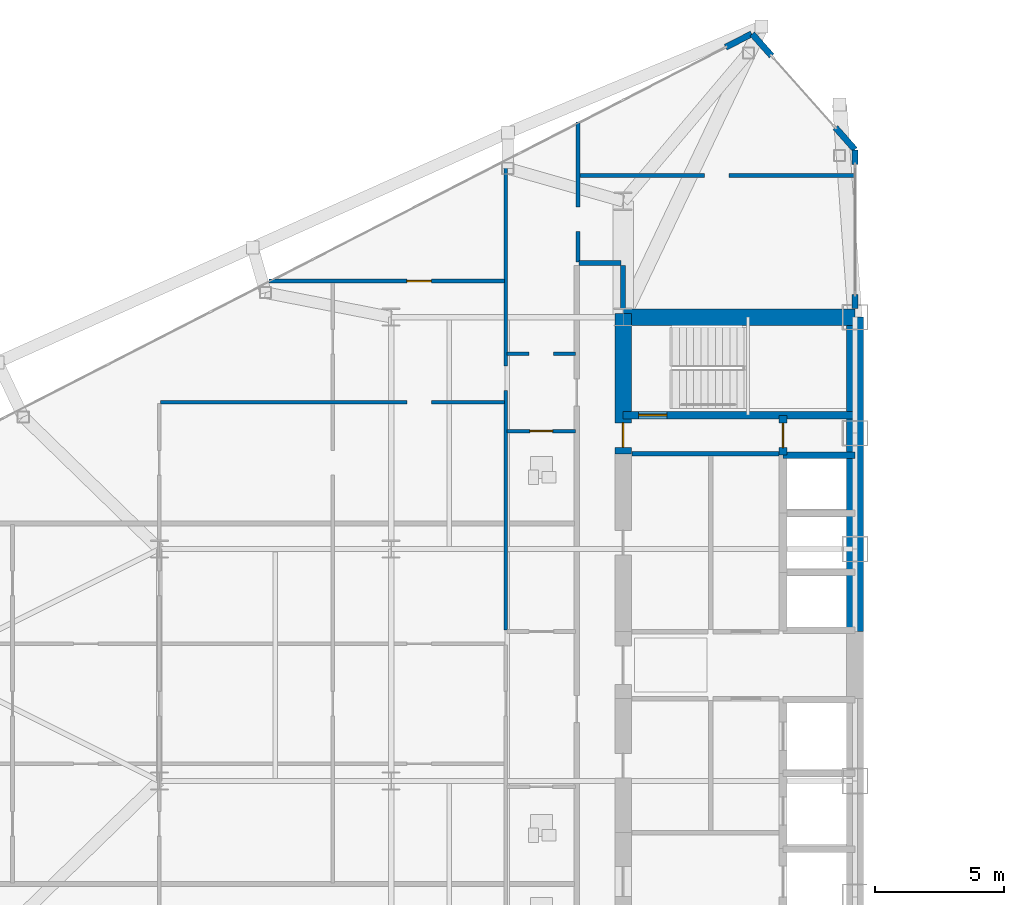
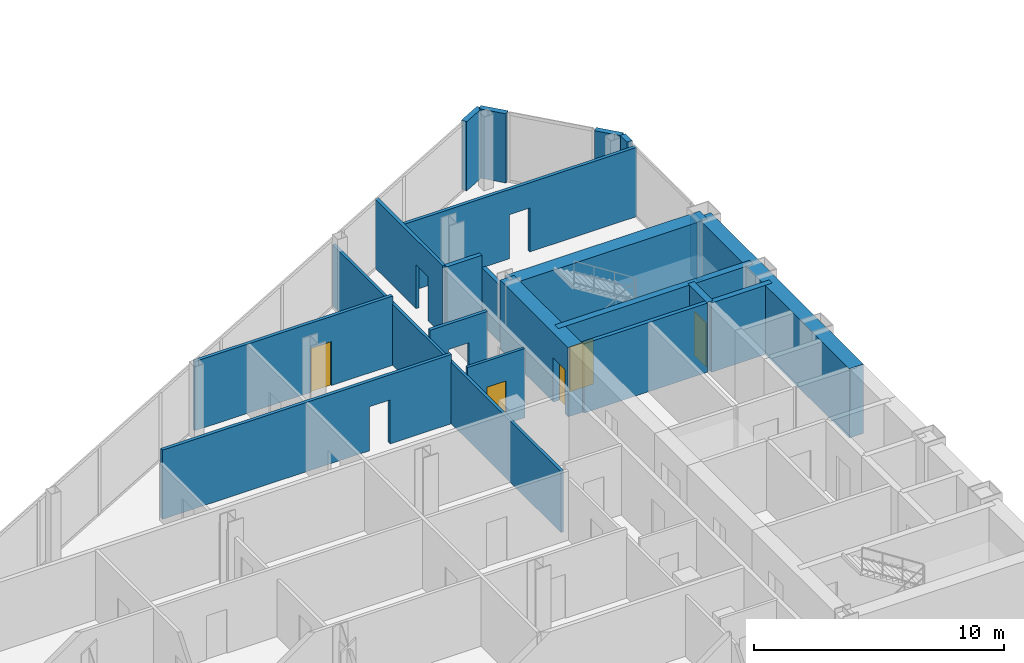
# One storey, part 21 of 28: 21 walls, 5 doors, 10 openings.
"""IFC4 building model written with IfcOpenShell, lengths in metres."""

import ifcopenshell
import ifcopenshell.guid

model = None  # the IFC model being written
_history = None  # IfcOwnerHistory: only IFC2X3 demands one
_inside = {}  # id of a spatial element -> (the spatial element, [elements in it])
_under = {}  # id of a project, library or spatial element -> (it, [spatial elements below it])
_declared = {}  # id of a project -> (the project, [libraries it declares])
_typed = {}  # id of a type object -> (the type object, [elements of that type])
_made_of = {}  # id of a material, layer set ... -> (it, [elements and type objects made of it])


def new_model(schema):
    """Start an empty IFC model of exactly this schema.

    Asked for "IFC4X3", IfcOpenShell would pick the latest addendum, in which some entities
    have other attributes; the version numbers below select the first issue.
    IFC2X3 requires an IfcOwnerHistory on every rooted entity: one is made here for all.
    """
    global model, _history
    if schema == "IFC4X3":
        model = ifcopenshell.file(schema_version=(4, 3, 0, 0))
    else:
        model = ifcopenshell.file(schema=schema)
    _inside.clear()
    _under.clear()
    _declared.clear()
    _typed.clear()
    _made_of.clear()
    _history = None
    if model.schema == "IFC2X3":
        org = make("IfcOrganization", Name="unknown")
        user = make(
            "IfcPersonAndOrganization",
            ThePerson=make("IfcPerson", FamilyName="unknown"),
            TheOrganization=org,
        )
        app = make(
            "IfcApplication",
            ApplicationDeveloper=org,
            Version="unknown",
            ApplicationFullName="unknown",
            ApplicationIdentifier="unknown",
        )
        _history = make(
            "IfcOwnerHistory",
            OwningUser=user,
            OwningApplication=app,
            ChangeAction="ADDED",
            CreationDate=0,
        )
    return model


def make(cls, **values):
    """One entity of the class cls with the attributes given. An attribute that is None is left unset."""
    return model.create_entity(
        cls, **{name: value for name, value in values.items() if value is not None}
    )


def rooted(cls, **values):
    """An entity with a GlobalId (a new one), such as an element, a storey or a relation."""
    return make(cls, GlobalId=ifcopenshell.guid.new(), OwnerHistory=_history, **values)


def si_unit(unit_type, name, prefix=None):
    """IfcSIUnit, for example si_unit("LENGTHUNIT", "METRE", prefix="MILLI")."""
    return make("IfcSIUnit", UnitType=unit_type, Prefix=prefix, Name=name)


def assignment(units):
    """IfcUnitAssignment: the units of a project."""
    return None if units is None else make("IfcUnitAssignment", Units=units)


def point(xyz):
    """IfcCartesianPoint."""
    return None if xyz is None else make("IfcCartesianPoint", Coordinates=xyz)


def direction(xyz):
    """IfcDirection."""
    return None if xyz is None else make("IfcDirection", DirectionRatios=xyz)


def frame(location, z_axis=None, x_axis=None):
    """IfcAxis2Placement3D, a coordinate frame: its origin and axes. An axis left out is left unset."""
    return make(
        "IfcAxis2Placement3D",
        Location=point(location),
        Axis=direction(z_axis),
        RefDirection=direction(x_axis),
    )


def frame_2d(location, x_axis=None):
    """IfcAxis2Placement2D, a coordinate frame in the plane: its origin and x axis."""
    return make(
        "IfcAxis2Placement2D", Location=point(location), RefDirection=direction(x_axis)
    )


def origin():
    """The frame at (0, 0, 0) with its axes left unset."""
    return frame((0.0, 0.0, 0.0))


def place(relative_to, where):
    """IfcLocalPlacement: puts the frame where relative to a parent placement (None: the world)."""
    return make(
        "IfcLocalPlacement", PlacementRelTo=relative_to, RelativePlacement=where
    )


def context(
    kind, dimensions, precision=None, world=None, true_north=None, identifier=None
):
    """IfcGeometricRepresentationContext, for example the 3D "Model" context."""
    return make(
        "IfcGeometricRepresentationContext",
        ContextIdentifier=identifier,
        ContextType=kind,
        CoordinateSpaceDimension=dimensions,
        Precision=precision,
        WorldCoordinateSystem=world,
        TrueNorth=true_north,
    )


def subcontext(parent, identifier, kind, view, scale=None):
    """IfcGeometricRepresentationSubContext, for example "Body" below "Model"."""
    return make(
        "IfcGeometricRepresentationSubContext",
        ContextIdentifier=identifier,
        ContextType=kind,
        ParentContext=parent,
        TargetScale=scale,
        TargetView=view,
    )


def project(units=None, contexts=None):
    """IfcProject with its units and contexts."""
    return rooted(
        "IfcProject",
        Name="project",
        RepresentationContexts=contexts,
        UnitsInContext=assignment(units),
    )


def spatial(cls, under=None, at=None, **own):
    """A site, building, storey or space (cls), placed at a placement, below another one or the project."""
    s = rooted(cls, ObjectPlacement=at, **own)
    if under is not None:
        _under.setdefault(under.id(), (under, []))[1].append(s)
    return s


def profile(cls, at=None, kind="AREA", **sizes):
    """A parametric profile (cls). Its sizes go by their IFC names, for example OverallWidth=200.0."""
    return make(cls, ProfileType=kind, Position=at, **sizes)


def rectangle(**sizes):
    """IfcRectangleProfileDef."""
    return profile("IfcRectangleProfileDef", **sizes)


def extrude(swept, where, along, depth):
    """IfcExtrudedAreaSolid: the profile swept, set in the frame where, extruded along a direction by depth."""
    return make(
        "IfcExtrudedAreaSolid",
        SweptArea=swept,
        Position=where,
        ExtrudedDirection=direction(along),
        Depth=depth,
    )


def shape(context_of_items, identifier, shape_type, items):
    """IfcShapeRepresentation: the items that make up one representation, for example the "Body"."""
    return make(
        "IfcShapeRepresentation",
        ContextOfItems=context_of_items,
        RepresentationIdentifier=identifier,
        RepresentationType=shape_type,
        Items=items,
    )


def source(mapping_origin, context_of_items, identifier, shape_type, items):
    """IfcRepresentationMap: a shape defined once, which mapped items show again and again."""
    return make(
        "IfcRepresentationMap",
        MappingOrigin=mapping_origin,
        MappedRepresentation=shape(context_of_items, identifier, shape_type, items),
    )


def transform(
    local_origin,
    x_axis=None,
    y_axis=None,
    z_axis=None,
    scale=None,
    scale2=None,
    scale3=None,
    uniform=True,
):
    """IfcCartesianTransformationOperator3D, or its non-uniform kind. x_axis, y_axis, z_axis: its Axis1, 2, 3."""
    if uniform:
        return make(
            "IfcCartesianTransformationOperator3D",
            Axis1=direction(x_axis),
            Axis2=direction(y_axis),
            LocalOrigin=point(local_origin),
            Scale=scale,
            Axis3=direction(z_axis),
        )
    return make(
        "IfcCartesianTransformationOperator3DnonUniform",
        Axis1=direction(x_axis),
        Axis2=direction(y_axis),
        LocalOrigin=point(local_origin),
        Scale=scale,
        Axis3=direction(z_axis),
        Scale2=scale2,
        Scale3=scale3,
    )


def mapped(mapping_source, mapping_target):
    """IfcMappedItem: shows the shape of a source again, moved by a transform."""
    return make(
        "IfcMappedItem", MappingSource=mapping_source, MappingTarget=mapping_target
    )


def material(Name=None, Category=None):
    """IfcMaterial."""
    return make("IfcMaterial", Name=Name, Category=Category)


def layer(
    of_material, thickness, ventilated=None, Name=None, Category=None, Priority=None
):
    """IfcMaterialLayer: one layer of a wall or slab, of a material (None: an air gap)."""
    return make(
        "IfcMaterialLayer",
        Material=of_material,
        LayerThickness=thickness,
        IsVentilated=ventilated,
        Name=Name,
        Category=Category,
        Priority=Priority,
    )


def layer_set(layers, Name=None):
    """IfcMaterialLayerSet."""
    return make("IfcMaterialLayerSet", MaterialLayers=layers, LayerSetName=Name)


def made_of(thing, what):
    """Note that an element or type object is made of a material, layer set ...; save() writes the relation."""
    if what is not None:
        _made_of.setdefault(what.id(), (what, []))[1].append(thing)
    return thing


def type_object(cls, material=None, **own):
    """A type object (cls), such as IfcWallType, which elements share."""
    return made_of(rooted(cls, **own), material)


def type_shapes(of_type, sources):
    """Give a type object the sources (RepresentationMaps) that its elements show as mapped items."""
    of_type.RepresentationMaps = sources


def element(
    cls,
    number,
    at=None,
    inside=None,
    cuts=None,
    type_object=None,
    material=None,
    context=None,
    identifier="Body",
    shape_type=None,
    held_by="IfcProductDefinitionShape",
    body=None,
    shapes=None,
    **own,
):
    """One element of the class cls, such as IfcWall. Its Tag is "e" and its number.

    at: its placement. inside: the storey or other place that contains it. cuts: it is an
    opening in that element (IfcRelVoidsElement). A single representation is given by context,
    identifier, shape_type and body (its items); several are given by shapes. held_by: the class
    of the entity that holds the representations. save() writes the other relations.
    """
    e = rooted(cls, Tag="e%d" % number, ObjectPlacement=at, **own)
    if body is not None:
        shapes = [shape(context, identifier, shape_type, body)]
    if shapes is not None:
        e.Representation = make(held_by, Representations=shapes)
    if inside is not None:
        _inside.setdefault(inside.id(), (inside, []))[1].append(e)
    if cuts is not None:
        rooted(
            "IfcRelVoidsElement", RelatingBuildingElement=cuts, RelatedOpeningElement=e
        )
    if type_object is not None:
        _typed.setdefault(type_object.id(), (type_object, []))[1].append(e)
    return made_of(e, material)


def fill(opening, filler):
    """IfcRelFillsElement: the door or window that sits in an opening."""
    return rooted(
        "IfcRelFillsElement",
        RelatingOpeningElement=opening,
        RelatedBuildingElement=filler,
    )


def aggregate(whole, parts):
    """IfcRelAggregates: a whole, such as a stair, and the parts it consists of."""
    return rooted("IfcRelAggregates", RelatingObject=whole, RelatedObjects=parts)


def save(model, path):
    """Write the relations noted so far, then the file.

    IfcRelAggregates (storeys below a building ...), IfcRelContainedInSpatialStructure (elements
    in a storey), IfcRelDefinesByType, IfcRelAssociatesMaterial and IfcRelDeclares: one each for
    every whole, place, type object, material and project.
    """
    for whole, parts in _under.values():
        aggregate(whole, parts)
    for where, things in _inside.values():
        rooted(
            "IfcRelContainedInSpatialStructure",
            RelatedElements=things,
            RelatingStructure=where,
        )
    for kind, things in _typed.values():
        rooted("IfcRelDefinesByType", RelatedObjects=things, RelatingType=kind)
    for what, things in _made_of.values():
        rooted("IfcRelAssociatesMaterial", RelatedObjects=things, RelatingMaterial=what)
    for by, libraries in _declared.values():
        rooted("IfcRelDeclares", RelatingContext=by, RelatedDefinitions=libraries)
    model.write(path)


model = new_model("IFC4")

# Units and contexts
model_context = context("Model", 3, precision=1e-05, world=origin(), true_north=direction((0.0, 1.0)))
body_context = subcontext(model_context, "Body", "Model", "MODEL_VIEW")
ifc_project = project(units=[si_unit("LENGTHUNIT", "METRE"), si_unit("AREAUNIT", "SQUARE_METRE"), si_unit("VOLUMEUNIT", "CUBIC_METRE"), si_unit("PLANEANGLEUNIT", "RADIAN"), si_unit("MASSUNIT", "GRAM", prefix="KILO")], contexts=[model_context])

# Site, building, storey
site_placement = place(None, origin())
site = spatial("IfcSite", under=ifc_project, at=site_placement, CompositionType="ELEMENT")
building_placement = place(site_placement, origin())
building = spatial("IfcBuilding", under=site, at=building_placement, Name="Seokmaru Belvedere", CompositionType="ELEMENT")
storey_placement = place(building_placement, frame((0.0, 0.0, 110.39990234375)))
storey = spatial("IfcBuildingStorey", under=building, at=storey_placement, Name="L29", CompositionType="ELEMENT", Elevation=110.39990234375)

# Wall, opening
ifc_material_1 = material(Name="Fire-Rated Gypsum Shaftwall")
ifc_layer_1 = layer(ifc_material_1, 0.14990234375)
ifc_layer_set_1 = layer_set([ifc_layer_1], Name="Fire-Rated Gypsum Shaftwall")
wall_type_1 = type_object("IfcWallType", Name="Apartment Fire-Acoustic Room Partition 150", PredefinedType="PARTITIONING", material=ifc_layer_set_1)
wall_1_placement = place(storey_placement, frame((-54.449951171875, 10.199951171875, 0.0), z_axis=(0.0, 0.0, 1.0), x_axis=(1.0, 0.0, 0.0)))
wall_1 = element("IfcWall", 1, at=wall_1_placement, inside=storey, type_object=wall_type_1, Name="L29 Interior Partition 027", PredefinedType="PARTITIONING", context=body_context, shape_type="SweptSolid", body=[
    extrude(rectangle(XDim=13.349853515625, YDim=0.14990234375, at=frame_2d((6.6748046875, 0.0))), origin(), (0.0, 0.0, 1.0), 3.380126953125),
])
opening_1_placement = place(wall_1_placement, frame((9.5625, 0.0, 0.0)))
element("IfcOpeningElement", 2, at=opening_1_placement, cuts=wall_1, Name="L29 Cased Opening 029", PredefinedType="OPENING", context=body_context, shape_type="SweptSolid", body=[
    extrude(rectangle(XDim=0.949951171875, YDim=2.14990234375, at=frame_2d((0.47509765625, 1.074951171875))), frame((0.0, 0.0849609375, 0.0), z_axis=(0.0, -1.0, 0.0), x_axis=(1.0, 0.0, 0.0)), (0.0, 0.0, 1.0), 0.169921875),
])

wall_2_placement = place(storey_placement, frame((-41.0, 12.080078125, 0.0), z_axis=(0.0, 0.0, 1.0), x_axis=(1.0, 0.0, 0.0)))
wall_2 = element("IfcWall", 3, at=wall_2_placement, inside=storey, type_object=wall_type_1, Name="L29 Interior Partition 029", PredefinedType="PARTITIONING", context=body_context, shape_type="SweptSolid", body=[
    extrude(rectangle(XDim=2.64990234375, YDim=0.14990234375, at=frame_2d((1.324951171875, 0.0))), origin(), (0.0, 0.0, 1.0), 3.380126953125),
])
opening_2_placement = place(wall_2_placement, frame((0.85009765625, 0.0, 0.0)))
element("IfcOpeningElement", 4, at=opening_2_placement, cuts=wall_2, Name="L29 Cased Opening 027", PredefinedType="OPENING", context=body_context, shape_type="SweptSolid", body=[
    extrude(rectangle(XDim=0.949951171875, YDim=2.14990234375, at=frame_2d((0.47509765625, 1.074951171875))), frame((0.0, 0.0849609375, 0.0), z_axis=(0.0, -1.0, 0.0), x_axis=(1.0, 0.0, 0.0)), (0.0, 0.0, 1.0), 0.169921875),
])

# Wall, opening, door
wall_3_placement = place(storey_placement, frame((-50.242919921875, 14.89990234375, 0.0), z_axis=(0.0, 0.0, 1.0), x_axis=(1.0, 0.0, 0.0)))
wall_3 = element("IfcWall", 5, at=wall_3_placement, inside=storey, type_object=wall_type_1, Name="L29 Interior Partition 032", PredefinedType="PARTITIONING", context=body_context, shape_type="SweptSolid", body=[
    extrude(rectangle(XDim=9.142822265625, YDim=0.14990234375, at=frame_2d((4.5712890625, 0.0))), origin(), (0.0, 0.0, 1.0), 3.380126953125),
])
opening_3_placement = place(wall_3_placement, frame((5.35546875, 0.0, 0.0)))
opening_3 = element("IfcOpeningElement", 6, at=opening_3_placement, cuts=wall_3, Name="Opening D05", PredefinedType="OPENING", context=body_context, shape_type="SweptSolid", body=[
    extrude(rectangle(XDim=0.949951171875, YDim=2.14990234375, at=frame_2d((0.47509765625, 1.074951171875))), frame((0.0, 0.0849609375, 0.0), z_axis=(0.0, -1.0, 0.0), x_axis=(1.0, 0.0, 0.0)), (0.0, 0.0, 1.0), 0.169921875),
])
ifc_material_2 = material(Name="Engineered White Oak Timber", Category="wood")
door_type_1 = type_object("IfcDoorType", Name="Apartment Interior Fire-Rated Oak Door 950x2150", OperationType="NOTDEFINED", PredefinedType="DOOR", material=ifc_material_2)
shared_shape_1 = source(origin(), body_context, "Body", "SweptSolid", [
    extrude(rectangle(XDim=0.949951171875, YDim=2.14990234375, at=frame_2d((0.47509765625, 1.074951171875))), frame((0.0, 0.02490234375, 0.0), z_axis=(0.0, -1.0, 0.0), x_axis=(1.0, 0.0, 0.0)), (0.0, 0.0, 1.0), 0.050048828125),
])
type_shapes(door_type_1, [shared_shape_1])
door_1_placement = place(opening_3_placement, origin())
door_1 = element("IfcDoor", 7, at=door_1_placement, inside=storey, type_object=door_type_1, Name="L29 Interior Door 031", OperationType="SINGLE_SWING_RIGHT", OverallHeight=2.14990234375, OverallWidth=0.949951171875, PredefinedType="DOOR", context=body_context, shape_type="MappedRepresentation", body=[
    mapped(shared_shape_1, transform((0.0, 0.0, 0.0), scale=1.0)),
])
fill(opening_3, door_1)

# Wall, opening
wall_4_placement = place(storey_placement, frame((-38.199951171875, 19.0, 0.0), z_axis=(0.0, 0.0, 1.0), x_axis=(1.0, 0.0, 0.0)))
wall_4 = element("IfcWall", 8, at=wall_4_placement, inside=storey, type_object=wall_type_1, Name="L29 Interior Partition 035", PredefinedType="PARTITIONING", context=body_context, shape_type="SweptSolid", body=[
    extrude(rectangle(XDim=10.73486328125, YDim=0.14990234375, at=frame_2d((5.367431640625, 0.0))), origin(), (0.0, 0.0, 1.0), 3.380126953125),
])
opening_4_placement = place(wall_4_placement, frame((4.85009765625, 0.0, 0.0)))
element("IfcOpeningElement", 9, at=opening_4_placement, cuts=wall_4, Name="L29 Cased Opening 035", PredefinedType="OPENING", context=body_context, shape_type="SweptSolid", body=[
    extrude(rectangle(XDim=0.949951171875, YDim=2.14990234375, at=frame_2d((0.47509765625, 1.074951171875))), frame((0.0, 0.0849609375, 0.0), z_axis=(0.0, -1.0, 0.0), x_axis=(1.0, 0.0, 0.0)), (0.0, 0.0, 1.0), 0.169921875),
])

wall_5_placement = place(storey_placement, frame((-38.25, 15.64990234375, 0.0), z_axis=(0.0, 0.0, 1.0), x_axis=(0.0, 1.0, 0.0)))
wall_5 = element("IfcWall", 10, at=wall_5_placement, inside=storey, type_object=wall_type_1, Name="L29 Interior Partition 044", PredefinedType="PARTITIONING", context=body_context, shape_type="SweptSolid", body=[
    extrude(rectangle(XDim=5.421142578125, YDim=0.14990234375, at=frame_2d((2.71044921875, 0.0))), origin(), (0.0, 0.0, 1.0), 3.380126953125),
])
opening_5_placement = place(wall_5_placement, frame((1.175048828125, 0.0, 0.0)))
element("IfcOpeningElement", 11, at=opening_5_placement, cuts=wall_5, Name="L29 Cased Opening 034", PredefinedType="OPENING", context=body_context, shape_type="SweptSolid", body=[
    extrude(rectangle(XDim=0.949951171875, YDim=2.14990234375, at=frame_2d((0.47509765625, 1.074951171875))), frame((0.0, 0.0849609375, 0.0), z_axis=(0.0, -1.0, 0.0), x_axis=(1.0, 0.0, 0.0)), (0.0, 0.0, 1.0), 0.169921875),
])

# Walls
ifc_layer_2 = layer(ifc_material_1, 0.179931640625)
ifc_layer_set_2 = layer_set([ifc_layer_2], Name="Fire-Rated Gypsum Shaftwall")
wall_type_2 = type_object("IfcWallType", Name="Core Service Fire Partition 180", PredefinedType="PARTITIONING", material=ifc_layer_set_2)
wall_6_placement = place(storey_placement, frame((-36.14990234375, 8.199951171875, 0.0), z_axis=(0.0, 0.0, 1.0), x_axis=(1.0, 0.0, 0.0)))
element("IfcWall", 12, at=wall_6_placement, inside=storey, type_object=wall_type_2, Name="L29 West Smokeproof Vestibule Partition", PredefinedType="PARTITIONING", context=body_context, shape_type="SweptSolid", body=[
    extrude(rectangle(XDim=5.699951171875, YDim=0.179931640625, at=frame_2d((2.85009765625, 0.0))), origin(), (0.0, 0.0, 1.0), 3.380126953125),
])
ifc_material_3 = material(Name="Concrete C50 (50 MPa)", Category="concrete")
ifc_layer_3 = layer(ifc_material_3, 0.25)
ifc_layer_set_3 = layer_set([ifc_layer_3], Name="Concrete C50 (50 MPa)")
wall_type_3 = type_object("IfcWallType", Name="Hoistway Transverse Concrete Divider Wall 250", PredefinedType="SHEAR", material=ifc_layer_set_3)
wall_7_placement = place(storey_placement, frame((-30.300048828125, 8.14990234375, 0.0), z_axis=(0.0, 0.0, 1.0), x_axis=(1.0, 0.0, 0.0)))
element("IfcWall", 13, at=wall_7_placement, inside=storey, type_object=wall_type_3, Name="L29 West Hoistway Divider Core Wall 7", PredefinedType="SHEAR", context=body_context, shape_type="SweptSolid", body=[
    extrude(rectangle(XDim=2.800048828125, YDim=0.25, at=frame_2d((1.39990234375, 0.0))), origin(), (0.0, 0.0, 1.0), 3.380126953125),
])
ifc_layer_4 = layer(ifc_material_1, 0.199951171875)
ifc_layer_set_4 = layer_set([ifc_layer_4], Name="Fire-Rated Gypsum Shaftwall")
wall_type_4 = type_object("IfcWallType", Name="Inter-Tenancy Fire Compartment Partition 200", PredefinedType="PARTITIONING", material=ifc_layer_set_4)
wall_8_placement = place(storey_placement, frame((-38.215087890625, 15.60009765625, 0.0), z_axis=(0.0, 0.0, 1.0), x_axis=(1.0, 0.0, 0.0)))
element("IfcWall", 14, at=wall_8_placement, inside=storey, type_object=wall_type_4, Name="L29 Interior Partition 033", PredefinedType="PARTITIONING", context=body_context, shape_type="SweptSolid", body=[
    extrude(rectangle(XDim=1.630126953125, YDim=0.199951171875, at=frame_2d((0.81494140625, 0.0))), origin(), (0.0, 0.0, 1.0), 3.380126953125),
])
wall_9_placement = place(storey_placement, frame((-36.5, 13.830078125, 0.0), z_axis=(0.0, 0.0, 1.0), x_axis=(0.0, 1.0, 0.0)))
element("IfcWall", 15, at=wall_9_placement, inside=storey, type_object=wall_type_4, Name="L29 Interior Partition 046", PredefinedType="PARTITIONING", context=body_context, shape_type="SweptSolid", body=[
    extrude(rectangle(XDim=1.684814453125, YDim=0.199951171875, at=frame_2d((0.84228515625, 0.0))), origin(), (0.0, 0.0, 1.0), 2.780029296875),
])

# Wall, opening, door
ifc_layer_5 = layer(ifc_material_3, 0.300048828125)
ifc_layer_set_5 = layer_set([ifc_layer_5], Name="Concrete C50 (50 MPa)")
wall_type_5 = type_object("IfcWallType", Name="Internal Core Stair and Hoistway Wall 300", PredefinedType="SHEAR", material=ifc_layer_set_5)
wall_10_placement = place(storey_placement, frame((-36.5, 9.699951171875, 0.0), z_axis=(0.0, 0.0, 1.0), x_axis=(1.0, 0.0, 0.0)))
wall_10 = element("IfcWall", 16, at=wall_10_placement, inside=storey, type_object=wall_type_5, Name="L29 West Stair ST-2 Enclosure Wall", PredefinedType="SHEAR", context=body_context, shape_type="SweptSolid", body=[
    extrude(rectangle(XDim=9.0, YDim=0.300048828125, at=frame_2d((4.5, 0.0))), origin(), (0.0, 0.0, 1.0), 3.380126953125),
])
opening_6_placement = place(wall_10_placement, frame((0.60009765625, 0.0, 0.0)))
opening_6 = element("IfcOpeningElement", 17, at=opening_6_placement, cuts=wall_10, Name="Opening D01", PredefinedType="OPENING", context=body_context, shape_type="SweptSolid", body=[
    extrude(rectangle(XDim=1.10009765625, YDim=2.199951171875, at=frame_2d((0.550048828125, 1.10009765625))), frame((0.0, 0.16015625, 0.0), z_axis=(0.0, -1.0, 0.0), x_axis=(1.0, 0.0, 0.0)), (0.0, 0.0, 1.0), 0.320068359375),
])
ifc_material_4 = material(Name="Fire-Rated Steel Leaf", Category="steel")
door_type_2 = type_object("IfcDoorType", Name="Special Escape Stair Smokeproof Fire Door 1100x2200", OperationType="NOTDEFINED", PredefinedType="DOOR", material=ifc_material_4)
shared_shape_2 = source(origin(), body_context, "Body", "SweptSolid", [
    extrude(rectangle(XDim=1.10009765625, YDim=2.199951171875, at=frame_2d((0.550048828125, 1.10009765625))), frame((0.0, 0.02490234375, 0.0), z_axis=(0.0, -1.0, 0.0), x_axis=(1.0, 0.0, 0.0)), (0.0, 0.0, 1.0), 0.050048828125),
])
type_shapes(door_type_2, [shared_shape_2])
door_2_placement = place(opening_6_placement, origin())
door_2 = element("IfcDoor", 18, at=door_2_placement, inside=storey, type_object=door_type_2, Name="L29 West Special Escape Stair ST-2 Door", OperationType="SINGLE_SWING_RIGHT", OverallHeight=2.199951171875, OverallWidth=1.10009765625, PredefinedType="DOOR", context=body_context, shape_type="MappedRepresentation", body=[
    mapped(shared_shape_2, transform((0.0, 0.0, 0.0), scale=1.0)),
])
fill(opening_6, door_2)

wall_11_placement = place(storey_placement, frame((-30.300048828125, 8.14990234375, 0.0), z_axis=(0.0, 0.0, 1.0), x_axis=(0.0, 1.0, 0.0)))
wall_11 = element("IfcWall", 19, at=wall_11_placement, inside=storey, type_object=wall_type_5, Name="L29 West Electrical Riser Front Wall", PredefinedType="SHEAR", context=body_context, shape_type="SweptSolid", body=[
    extrude(rectangle(XDim=1.530029296875, YDim=0.300048828125, at=frame_2d((0.76513671875, 0.0))), origin(), (0.0, 0.0, 1.0), 3.380126953125),
])
opening_7_placement = place(wall_11_placement, frame((0.284912109375, 0.0, 0.0)))
opening_7 = element("IfcOpeningElement", 20, at=opening_7_placement, cuts=wall_11, Name="Opening D04", PredefinedType="OPENING", context=body_context, shape_type="SweptSolid", body=[
    extrude(rectangle(XDim=0.949951171875, YDim=2.14990234375, at=frame_2d((0.47509765625, 1.074951171875))), frame((0.0, 0.16015625, 0.0), z_axis=(0.0, -1.0, 0.0), x_axis=(1.0, 0.0, 0.0)), (0.0, 0.0, 1.0), 0.320068359375),
])
door_type_3 = type_object("IfcDoorType", Name="Core Service Room Fire Door 950x2150", OperationType="NOTDEFINED", PredefinedType="DOOR", material=ifc_material_4)
shared_shape_3 = source(origin(), body_context, "Body", "SweptSolid", [
    extrude(rectangle(XDim=0.949951171875, YDim=2.14990234375, at=frame_2d((0.47509765625, 1.074951171875))), frame((0.0, 0.02490234375, 0.0), z_axis=(0.0, -1.0, 0.0), x_axis=(1.0, 0.0, 0.0)), (0.0, 0.0, 1.0), 0.050048828125),
])
type_shapes(door_type_3, [shared_shape_3])
door_3_placement = place(opening_7_placement, origin())
door_3 = element("IfcDoor", 21, at=door_3_placement, inside=storey, type_object=door_type_3, Name="L29 West Electrical Riser Access Door", OperationType="SINGLE_SWING_LEFT", OverallHeight=2.14990234375, OverallWidth=0.949951171875, PredefinedType="DOOR", context=body_context, shape_type="MappedRepresentation", body=[
    mapped(shared_shape_3, transform((0.0, 0.0, 0.0), scale=1.0)),
])
fill(opening_7, door_3)

# Walls
ifc_material_5 = material(Name="Concrete C60 (60 MPa)", Category="concrete")
ifc_layer_6 = layer(ifc_material_5, 0.64990234375)
ifc_layer_set_6 = layer_set([ifc_layer_6], Name="Concrete C60 (60 MPa)")
wall_type_6 = type_object("IfcWallType", Name="Mid-Low Reinforced Concrete Core Wall 650", PredefinedType="SHEAR", material=ifc_layer_set_6)
wall_12_placement = place(storey_placement, frame((-27.5, 1.300048828125, 0.0), z_axis=(0.0, 0.0, 1.0), x_axis=(0.0, 1.0, 0.0)))
element("IfcWall", 22, at=wall_12_placement, inside=storey, type_object=wall_type_6, Name="L29 West Portal Spine Core Wall North", PredefinedType="SHEAR", context=body_context, shape_type="SweptSolid", body=[
    extrude(rectangle(XDim=12.199951171875, YDim=0.64990234375, at=frame_2d((6.10009765625, 0.0))), origin(), (0.0, 0.0, 1.0), 3.380126953125),
])
wall_13_placement = place(storey_placement, frame((-36.5, 13.5, 0.0), z_axis=(0.0, 0.0, 1.0), x_axis=(1.0, 0.0, 0.0)))
element("IfcWall", 23, at=wall_13_placement, inside=storey, type_object=wall_type_6, Name="L29 West North Core Wall", PredefinedType="SHEAR", context=body_context, shape_type="SweptSolid", body=[
    extrude(rectangle(XDim=9.0, YDim=0.64990234375, at=frame_2d((4.5, 0.0))), origin(), (0.0, 0.0, 1.0), 3.380126953125),
])

# Wall, opening, door
wall_14_placement = place(storey_placement, frame((-36.5, 8.199951171875, 0.0), z_axis=(0.0, 0.0, 1.0), x_axis=(0.0, 1.0, 0.0)))
wall_14 = element("IfcWall", 24, at=wall_14_placement, inside=storey, type_object=wall_type_6, Name="L29 West West Core Wall VST", PredefinedType="SHEAR", context=body_context, shape_type="SweptSolid", body=[
    extrude(rectangle(XDim=5.449951171875, YDim=0.64990234375, at=frame_2d((2.72509765625, 0.0))), origin(), (0.0, 0.0, 1.0), 3.380126953125),
])
opening_8_placement = place(wall_14_placement, frame((0.2451171875, 0.0, 0.0)))
opening_8 = element("IfcOpeningElement", 25, at=opening_8_placement, cuts=wall_14, Name="Opening D04", PredefinedType="OPENING", context=body_context, shape_type="SweptSolid", body=[
    extrude(rectangle(XDim=0.949951171875, YDim=2.14990234375, at=frame_2d((0.47509765625, 1.074951171875))), frame((0.0, 0.3349609375, 0.0), z_axis=(0.0, -1.0, 0.0), x_axis=(1.0, 0.0, 0.0)), (0.0, 0.0, 1.0), 0.669921875),
])
door_4_placement = place(opening_8_placement, frame((0.949951171875, 0.0, 0.0), z_axis=(0.0, 0.0, 1.0), x_axis=(-1.0, 0.0, 0.0)))
door_4 = element("IfcDoor", 26, at=door_4_placement, inside=storey, type_object=door_type_3, Name="L29 West Smokeproof Vestibule Door", OperationType="SINGLE_SWING_RIGHT", OverallHeight=2.14990234375, OverallWidth=0.949951171875, PredefinedType="DOOR", context=body_context, shape_type="MappedRepresentation", body=[
    mapped(shared_shape_3, transform((0.0, 0.0, 0.0), scale=1.0)),
])
fill(opening_8, door_4)

ifc_layer_7 = layer(ifc_material_1, 0.1298828125)
ifc_layer_set_7 = layer_set([ifc_layer_7], Name="Fire-Rated Gypsum Shaftwall")
wall_type_7 = type_object("IfcWallType", Name="Moisture-Resistant Fire-Rated Bathroom Partition 130", PredefinedType="PARTITIONING", material=ifc_layer_set_7)
wall_15_placement = place(storey_placement, frame((-41.0, 9.080078125, 0.0), z_axis=(0.0, 0.0, 1.0), x_axis=(1.0, 0.0, 0.0)))
wall_15 = element("IfcWall", 27, at=wall_15_placement, inside=storey, type_object=wall_type_7, Name="L29 Interior Partition 025", PredefinedType="PARTITIONING", context=body_context, shape_type="SweptSolid", body=[
    extrude(rectangle(XDim=2.64990234375, YDim=0.1298828125, at=frame_2d((1.324951171875, 0.0))), origin(), (0.0, 0.0, 1.0), 3.380126953125),
])
opening_9_placement = place(wall_15_placement, frame((0.885009765625, 0.0, 0.0)))
opening_9 = element("IfcOpeningElement", 28, at=opening_9_placement, cuts=wall_15, Name="Opening D06", PredefinedType="OPENING", context=body_context, shape_type="SweptSolid", body=[
    extrude(rectangle(XDim=0.8798828125, YDim=2.10009765625, at=frame_2d((0.43994140625, 1.050048828125))), frame((0.0, 0.074951171875, 0.0), z_axis=(0.0, -1.0, 0.0), x_axis=(1.0, 0.0, 0.0)), (0.0, 0.0, 1.0), 0.14990234375),
])
door_type_4 = type_object("IfcDoorType", Name="Bathroom and Restroom Fire-Rated Door 880x2100", OperationType="NOTDEFINED", PredefinedType="DOOR", material=ifc_material_2)
shared_shape_4 = source(origin(), body_context, "Body", "SweptSolid", [
    extrude(rectangle(XDim=0.8798828125, YDim=2.10009765625, at=frame_2d((0.43994140625, 1.050048828125))), frame((0.0, 0.02490234375, 0.0), z_axis=(0.0, -1.0, 0.0), x_axis=(1.0, 0.0, 0.0)), (0.0, 0.0, 1.0), 0.050048828125),
])
type_shapes(door_type_4, [shared_shape_4])
door_5_placement = place(opening_9_placement, origin())
door_5 = element("IfcDoor", 29, at=door_5_placement, inside=storey, type_object=door_type_4, Name="L29 Interior Door 026", OperationType="SINGLE_SWING_LEFT", OverallHeight=2.10009765625, OverallWidth=0.8798828125, PredefinedType="DOOR", context=body_context, shape_type="MappedRepresentation", body=[
    mapped(shared_shape_4, transform((0.0, 0.0, 0.0), scale=1.0)),
])
fill(opening_9, door_5)

# Wall, opening
wall_16_placement = place(storey_placement, frame((-41.050048828125, 1.35205078125, 0.0), z_axis=(0.0, 0.0, 1.0), x_axis=(0.0, 1.0, 0.0)))
wall_16 = element("IfcWall", 30, at=wall_16_placement, inside=storey, type_object=wall_type_7, Name="L29 Interior Partition 041", PredefinedType="PARTITIONING", context=body_context, shape_type="SweptSolid", body=[
    extrude(rectangle(XDim=18.281982421875, YDim=0.1298828125, at=frame_2d((9.14111328125, 0.0))), origin(), (0.0, 0.0, 1.0), 2.989990234375),
])
opening_10_placement = place(wall_16_placement, frame((9.3115234375, 0.0, 0.0)))
element("IfcOpeningElement", 31, at=opening_10_placement, cuts=wall_16, Name="L29 Cased Opening 028", PredefinedType="OPENING", context=body_context, shape_type="SweptSolid", body=[
    extrude(rectangle(XDim=0.949951171875, YDim=2.14990234375, at=frame_2d((0.47509765625, 1.074951171875))), frame((0.0, 0.074951171875, 0.0), z_axis=(0.0, -1.0, 0.0), x_axis=(1.0, 0.0, 0.0)), (0.0, 0.0, 1.0), 0.14990234375),
])

# Walls
ifc_material_6 = material(Name="Anodised Bronze Aluminium", Category="aluminium")
ifc_layer_8 = layer(ifc_material_6, 0.239990234375)
ifc_layer_set_8 = layer_set([ifc_layer_8], Name="Anodised Bronze Aluminium")
wall_type_8 = type_object("IfcWallType", Name="Tower Corner Spandrel Closure Wall 240", PredefinedType="SOLIDWALL", material=ifc_layer_set_8)
wall_17_placement = place(storey_placement, frame((-27.5, 13.830078125, 0.0), z_axis=(0.0, 0.0, 1.0), x_axis=(0.0, 1.0, 0.0)))
element("IfcWall", 32, at=wall_17_placement, inside=storey, type_object=wall_type_8, Name="L29 W Spine Closure Pier 2A", PredefinedType="SOLIDWALL", context=body_context, shape_type="SweptSolid", body=[
    extrude(rectangle(XDim=0.5498046875, YDim=0.239990234375, at=frame_2d((0.27490234375, 0.0))), origin(), (0.0, 0.0, 1.0), 2.880126953125),
])
wall_18_placement = place(storey_placement, frame((-27.5, 19.429931640625, 0.0), z_axis=(0.0, 0.0, 1.0), x_axis=(0.0, 1.0, 0.0)))
element("IfcWall", 33, at=wall_18_placement, inside=storey, type_object=wall_type_8, Name="L29 W Spine Closure Pier 2B", PredefinedType="SOLIDWALL", context=body_context, shape_type="SweptSolid", body=[
    extrude(rectangle(XDim=0.550048828125, YDim=0.239990234375, at=frame_2d((0.27490234375, 0.0))), origin(), (0.0, 0.0, 1.0), 3.380126953125),
])
for number, where, z_axis, x_axis, name in (
    (34, (-27.506591796875, 20.007568359375, 0.0), (0.0, 0.0, 1.0), (-0.664337252513, 0.747432950119, 0.0), "L29 W Corner Closure Pier 2A"),
    (35, (-30.736083984375, 23.640380859375, 0.0), (0.0, 0.0, 1.0), (-0.664337252513, 0.747432950119, 0.0), "L29 W Corner Closure Pier 2B"),
):
    element("IfcWall", number, at=place(storey_placement, frame(where, z_axis=z_axis, x_axis=x_axis)), inside=storey, type_object=wall_type_8, Name=name, PredefinedType="SOLIDWALL", context=body_context, shape_type="SweptSolid", body=[
        extrude(rectangle(XDim=1.139892578125, YDim=0.239990234375, at=frame_2d((0.56982421875, 0.0))), origin(), (0.0, 0.0, 1.0), 3.380126953125),
    ])
wall_19_placement = place(storey_placement, frame((-31.5087890625, 24.495361328125, 0.0), z_axis=(0.0, 0.0, 1.0), x_axis=(-0.889797395748, -0.456355776255, 0.0)))
element("IfcWall", 36, at=wall_19_placement, inside=storey, type_object=wall_type_8, Name="L29 W Corner Closure Pier 3A", PredefinedType="SOLIDWALL", context=body_context, shape_type="SweptSolid", body=[
    extrude(rectangle(XDim=1.14013671875, YDim=0.239990234375, at=frame_2d((0.570068359375, 0.0))), origin(), (0.0, 0.0, 1.0), 3.380126953125),
])

save(model, "model.ifc")
